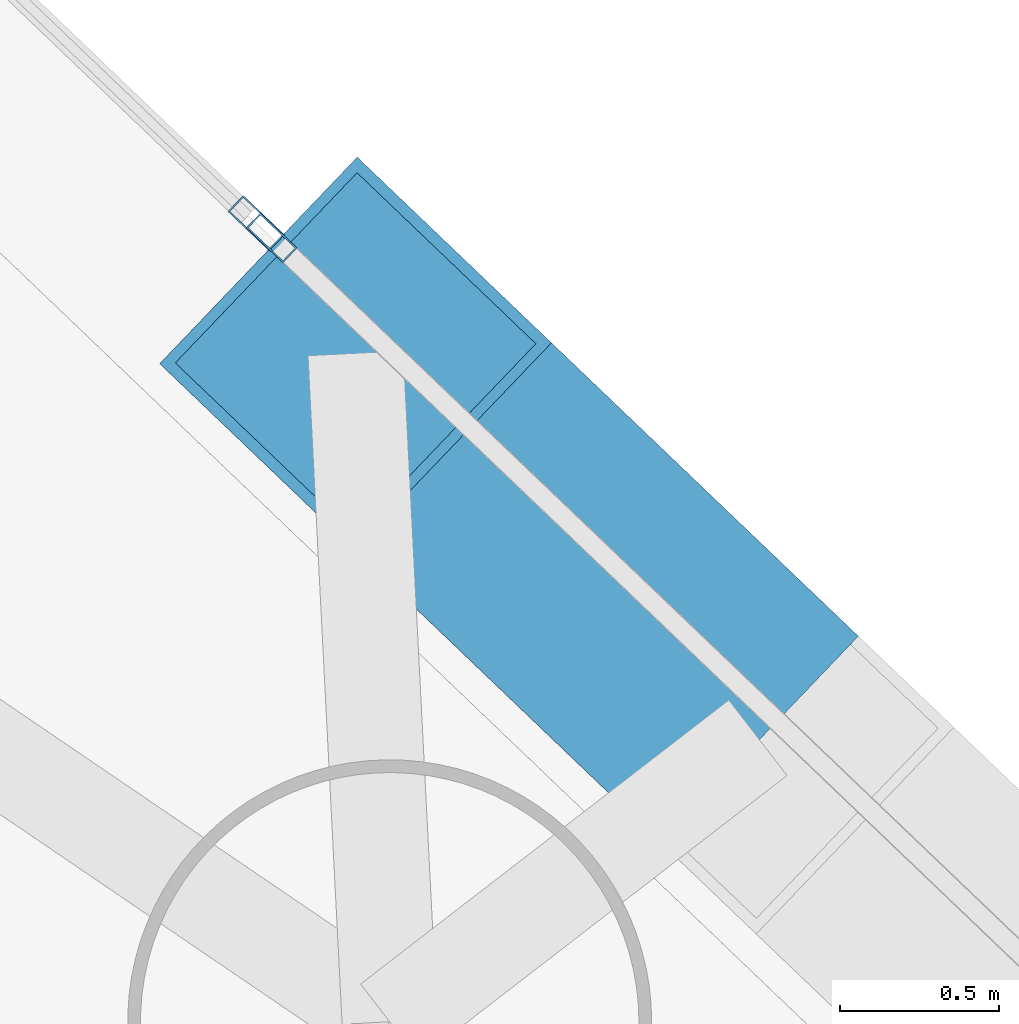
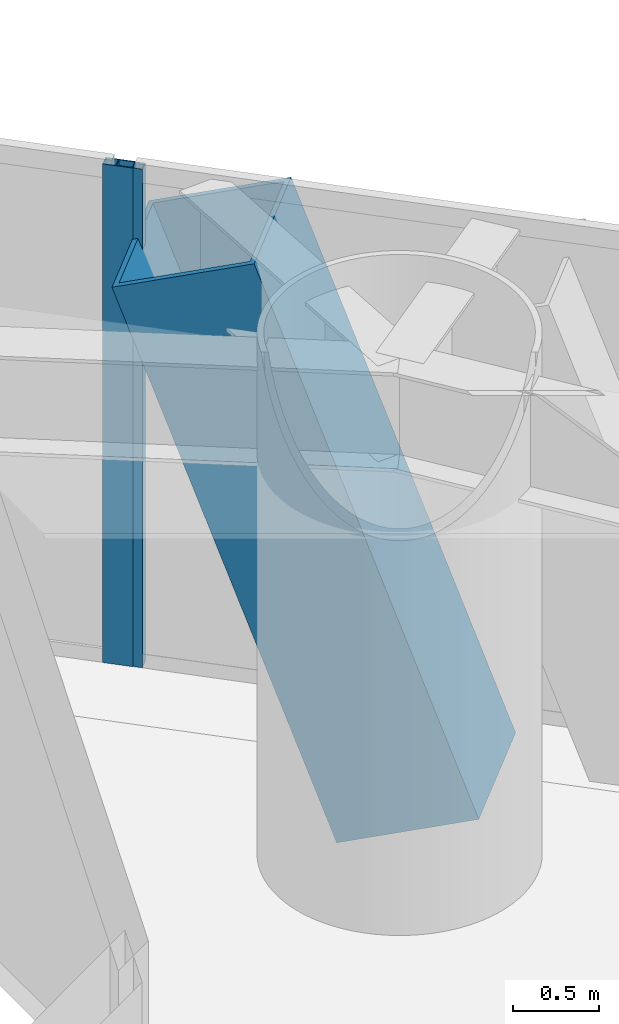
# One storey, part 12 of 23: 3 members, 2 elements without a shape of their own.
"""IFC4 building model written with IfcOpenShell, lengths in metres."""

from ifc_helpers import new_model, si_unit, direction, frame, origin, origin_2d, place, context, subcontext, project, spatial, hollow_rectangle, extrude, material, layer, layer_set, material_profile, profile_set, type_object, element, aggregate, save


model = new_model("IFC4")

# Units and contexts
model_context = context("Model", 3, precision=1e-05, world=origin(), true_north=direction((0.0, 1.0)))
body_context = subcontext(model_context, "Body", "Model", "MODEL_VIEW")
ifc_project = project(units=[si_unit("LENGTHUNIT", "METRE"), si_unit("AREAUNIT", "SQUARE_METRE"), si_unit("VOLUMEUNIT", "CUBIC_METRE"), si_unit("PLANEANGLEUNIT", "RADIAN"), si_unit("MASSUNIT", "GRAM", prefix="KILO")], contexts=[model_context])

# Site, building, storey
site_placement = place(None, origin())
site = spatial("IfcSite", under=ifc_project, at=site_placement, CompositionType="ELEMENT")
building_placement = place(site_placement, origin())
building = spatial("IfcBuilding", under=site, at=building_placement, Name="Qianvela Tower", CompositionType="ELEMENT")
storey_placement = place(building_placement, frame((0.0, 0.0, 63.60009765625)))
storey = spatial("IfcBuildingStorey", under=building, at=storey_placement, Name="L15", CompositionType="ELEMENT", Elevation=63.60009765625)

# Curtain wall, member
ifc_material_1 = material(Name="Anodised Architectural Aluminium and Insulated Spandrel Panel", Category="aluminium")
ifc_layer_1 = layer(ifc_material_1, 0.179931640625)
ifc_layer_set_1 = layer_set([ifc_layer_1], Name="Anodised Architectural Aluminium and Insulated Spandrel Panel")
curtain_wall_type_1 = type_object("IfcCurtainWallType", Name="CW-BRACEBAY", PredefinedType="USERDEFINED", material=ifc_layer_set_1)
curtain_wall_1_placement = place(storey_placement, origin())
curtain_wall_1 = element("IfcCurtainWall", 1, at=curtain_wall_1_placement, inside=storey, type_object=curtain_wall_type_1, Name="L15 CW-BRACEBAY Curtain Wall 02B", ObjectType="CURTAIN_WALL_SYSTEM", PredefinedType="USERDEFINED")
ifc_material_2 = material(Name="Anodised Architectural Aluminium 6063-T6", Category="aluminium")
ifc_material_profile_1 = material_profile(ifc_material_2, hollow_rectangle(XDim=0.06494140625, YDim=0.159912109375, WallThickness=0.0048828125, at=origin_2d()), Name="ALU-MULL-65x160")
ifc_profile_set_1 = profile_set([ifc_material_profile_1], Name="Anodised Architectural Aluminium 6063-T6")
member_type_1 = type_object("IfcMemberType", Name="CW-BRACEBAY-MULL", PredefinedType="MULLION", material=ifc_profile_set_1)
member_1_placement = place(storey_placement, frame((45.6123046875, 36.525390625, 0.0), z_axis=(0.0, 0.0, 1.0), x_axis=(-0.691046097321, -0.722810688477, 0.0)))
member_1 = element("IfcMember", 2, at=member_1_placement, type_object=member_type_1, Name="CW-9 mullion 2", PredefinedType="MULLION", context=body_context, shape_type="SweptSolid", body=[
    extrude(hollow_rectangle(XDim=0.06494140625, YDim=0.159912109375, WallThickness=0.0048828125, at=origin_2d()), origin(), (0.0, 0.0, 1.0), 3.52001953125),
])
aggregate(curtain_wall_1, [member_1])

ifc_material_3 = material(Name="Anodised Architectural Aluminium and Low-E Glass", Category="aluminium")
ifc_layer_2 = layer(ifc_material_3, 0.179931640625)
ifc_layer_set_2 = layer_set([ifc_layer_2], Name="Anodised Architectural Aluminium and Low-E Glass")
curtain_wall_type_2 = type_object("IfcCurtainWallType", Name="CW-COLIV-Z12", PredefinedType="USERDEFINED", material=ifc_layer_set_2)
curtain_wall_2_placement = place(storey_placement, origin())
curtain_wall_2 = element("IfcCurtainWall", 3, at=curtain_wall_2_placement, inside=storey, type_object=curtain_wall_type_2, Name="L15 CW-COLIV-Z12 Curtain Wall 02C", ObjectType="CURTAIN_WALL_SYSTEM", PredefinedType="USERDEFINED")
ifc_material_4 = material(Name="Anodised Architectural Aluminium 6063-T6", Category="aluminium")
ifc_material_profile_2 = material_profile(ifc_material_4, hollow_rectangle(XDim=0.070068359375, YDim=0.179931640625, WallThickness=0.0048828125, at=origin_2d()), Name="ALU-MULL-70x180")
ifc_profile_set_2 = profile_set([ifc_material_profile_2], Name="Anodised Architectural Aluminium 6063-T6")
member_type_2 = type_object("IfcMemberType", Name="CW-COLIV-Z12-MULL", PredefinedType="MULLION", material=ifc_profile_set_2)
member_2_placement = place(storey_placement, frame((45.5634765625, 36.572021484375, 0.0), z_axis=(0.0, 0.0, 1.0), x_axis=(-0.691042328352, -0.722814291797, 0.0)))
member_2 = element("IfcMember", 4, at=member_2_placement, type_object=member_type_2, Name="CW-3 mullion 1", PredefinedType="MULLION", context=body_context, shape_type="SweptSolid", body=[
    extrude(hollow_rectangle(XDim=0.070068359375, YDim=0.179931640625, WallThickness=0.0048828125, at=origin_2d()), origin(), (0.0, 0.0, 1.0), 3.52001953125),
])
aggregate(curtain_wall_2, [member_2])

# Member
ifc_material_5 = material(Name="Steel Q420GJC", Category="steel")
ifc_material_profile_3 = material_profile(ifc_material_5, hollow_rectangle(XDim=0.89990234375, YDim=0.89990234375, WallThickness=0.035888671875, at=origin_2d()), Name="MBOX-900x900x36")
ifc_profile_set_3 = profile_set([ifc_material_profile_3], Name="Steel Q420GJC")
member_type_3 = type_object("IfcMemberType", Name="MBR-MBRACE-900", PredefinedType="BRACE", material=ifc_profile_set_3)
member_3_placement = place(storey_placement, frame((46.843017578125, 35.238037109375, -0.531982421875), z_axis=(-0.245680861052, 0.234883066199, 0.940463109179), x_axis=(-0.691044376023, -0.722812334128, 0.0)))
element("IfcMember", 5, at=member_3_placement, inside=storey, type_object=member_type_3, Name="L15 Tier 2 Exterior Mega-Brace F1B", PredefinedType="BRACE", context=body_context, shape_type="SweptSolid", body=[
    extrude(hollow_rectangle(XDim=0.89990234375, YDim=0.89990234375, WallThickness=0.035888671875, at=origin_2d()), origin(), (0.0, 0.0, 1.0), 3.93408203125),
])

save(model, "model.ifc")
